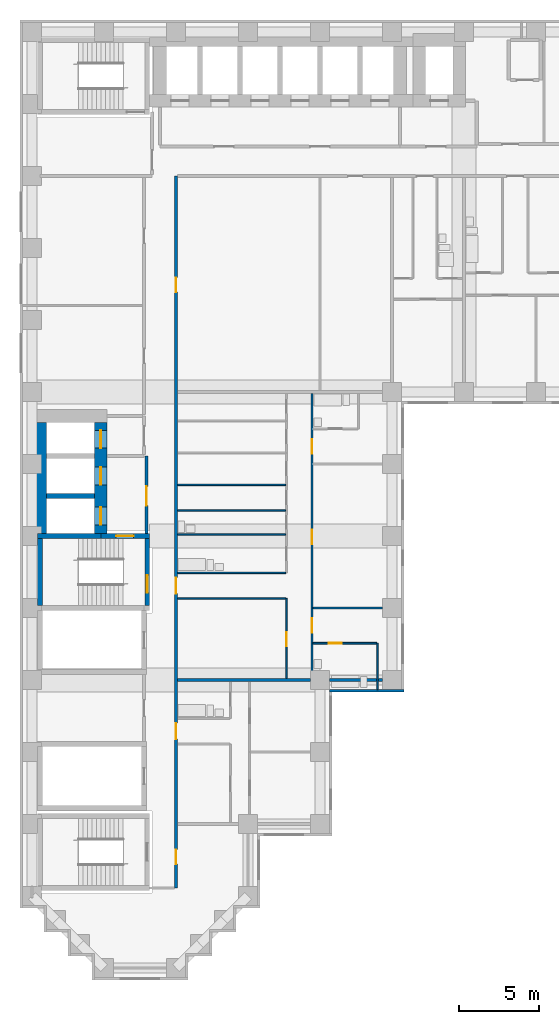
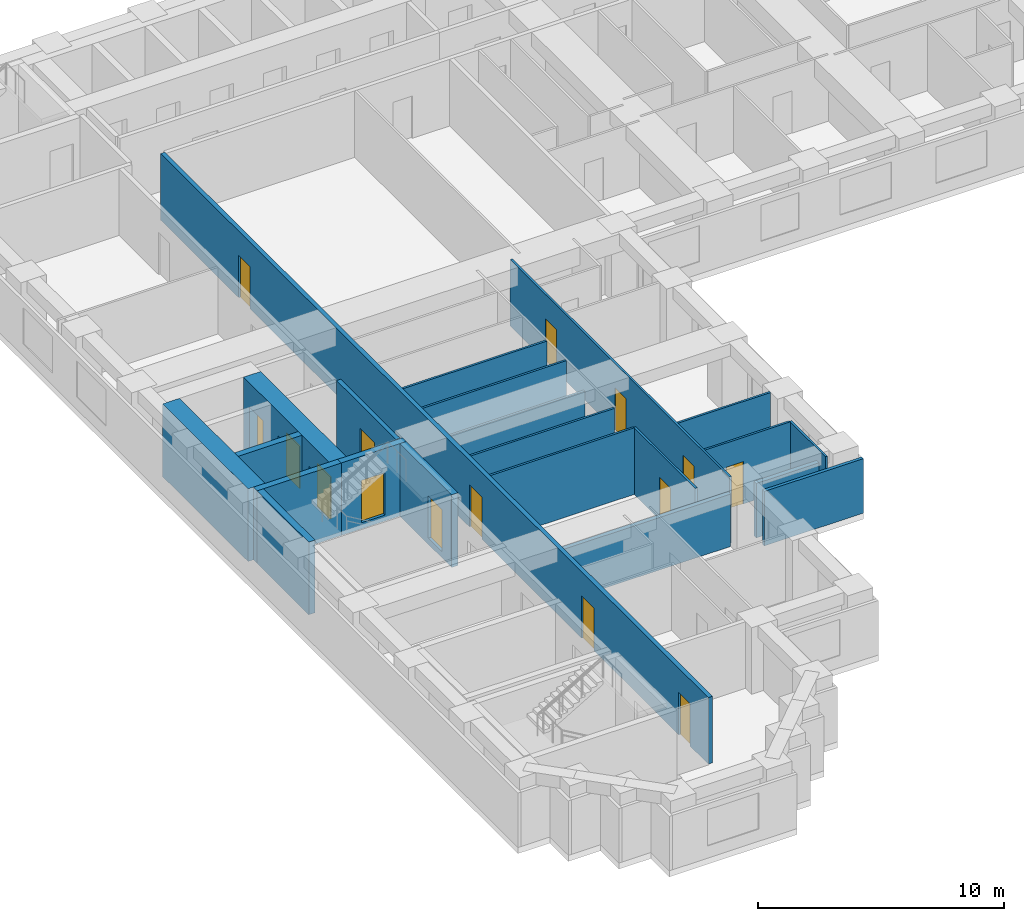
# One storey, part 3 of 12: 22 walls, 15 doors, 15 openings.
"""IFC4 building model written with IfcOpenShell, lengths in metres."""

from ifc_helpers import new_model, si_unit, direction, frame, frame_2d, origin, place, context, subcontext, project, spatial, rectangle, extrude, material, layer, layer_set, type_object, element, fill, save


model = new_model("IFC4")

# Units and contexts
model_context = context("Model", 3, precision=1e-05, world=origin(), true_north=direction((0.0, 1.0)))
body_context = subcontext(model_context, "Body", "Model", "MODEL_VIEW")
ifc_project = project(units=[si_unit("LENGTHUNIT", "METRE"), si_unit("AREAUNIT", "SQUARE_METRE"), si_unit("VOLUMEUNIT", "CUBIC_METRE"), si_unit("PLANEANGLEUNIT", "RADIAN"), si_unit("MASSUNIT", "GRAM", prefix="KILO")], contexts=[model_context])

# Site, building, storey
site_placement = place(None, origin())
site = spatial("IfcSite", under=ifc_project, at=site_placement, CompositionType="ELEMENT")
building_placement = place(site_placement, origin())
building = spatial("IfcBuilding", under=site, at=building_placement, Name="Firuza Court", CompositionType="ELEMENT")
storey_placement = place(building_placement, frame((0.0, 0.0, 101.0)))
storey = spatial("IfcBuildingStorey", under=building, at=storey_placement, Name="L25", CompositionType="ELEMENT", Elevation=101.0)

# Wall
ifc_material_1 = material(Name="Moisture-resistant gypsum board partition")
ifc_layer_1 = layer(ifc_material_1, 0.10009765625)
ifc_layer_set_1 = layer_set([ifc_layer_1], Name="Moisture-resistant gypsum board partition")
wall_type_1 = type_object("IfcWallType", Name="Bathroom partition 100", PredefinedType="PLUMBINGWALL", material=ifc_layer_set_1)
wall_1_placement = place(storey_placement, frame((21.60009765625, 17.39990234375, 0.0), z_axis=(0.0, 0.0, 1.0), x_axis=(0.0, 1.0, 0.0)))
element("IfcWall", 1, at=wall_1_placement, inside=storey, type_object=wall_type_1, Name="Bathroom partition 100 L25", PredefinedType="PLUMBINGWALL", context=body_context, shape_type="SweptSolid", body=[
    extrude(rectangle(XDim=2.900146484375, YDim=0.10009765625, at=frame_2d((1.4501953125, 0.0))), origin(), (0.0, 0.0, 1.0), 3.300048828125),
])

# Wall, opening, door
wall_2_placement = place(storey_placement, frame((17.550048828125, 20.300048828125, 0.0), z_axis=(0.0, 0.0, 1.0), x_axis=(1.0, 0.0, 0.0)))
wall_2 = element("IfcWall", 2, at=wall_2_placement, inside=storey, type_object=wall_type_1, Name="Bathroom partition 100 L25", PredefinedType="PLUMBINGWALL", context=body_context, shape_type="SweptSolid", body=[
    extrude(rectangle(XDim=4.0, YDim=0.10009765625, at=frame_2d((2.0, 0.0))), origin(), (0.0, 0.0, 1.0), 3.300048828125),
])
opening_1_placement = place(wall_2_placement, frame((1.0, 0.0, 0.0)))
opening_1 = element("IfcOpeningElement", 3, at=opening_1_placement, cuts=wall_2, Name="Opening D25032", PredefinedType="OPENING", context=body_context, shape_type="SweptSolid", body=[
    extrude(rectangle(XDim=0.800048828125, YDim=2.10009765625, at=frame_2d((0.39990234375, 1.050048828125))), frame((0.0, 0.06201171875, 0.0), z_axis=(0.0, -1.0, 0.0), x_axis=(1.0, 0.0, 0.0)), (0.0, 0.0, 1.0), 0.1240234375),
])
ifc_material_2 = material(Name="Timber door leaf in hardwood frame", Category="wood")
door_type_1 = type_object("IfcDoorType", Name="Bathroom door 800", OperationType="SINGLE_SWING_LEFT", PredefinedType="DOOR", material=ifc_material_2)
door_1_placement = place(opening_1_placement, frame((0.800048828125, 0.0, 0.0), z_axis=(0.0, 0.0, 1.0), x_axis=(-1.0, 0.0, 0.0)))
door_1 = element("IfcDoor", 4, at=door_1_placement, inside=storey, type_object=door_type_1, Name="En-suite door", OperationType="SINGLE_SWING_RIGHT", OverallHeight=2.10009765625, OverallWidth=0.800048828125, PredefinedType="DOOR", context=body_context, shape_type="SweptSolid", body=[
    extrude(rectangle(XDim=0.800048828125, YDim=2.10009765625, at=frame_2d((0.39990234375, 1.050048828125))), frame((0.0, 0.02490234375, 0.0), z_axis=(0.0, -1.0, 0.0), x_axis=(1.0, 0.0, 0.0)), (0.0, 0.0, 1.0), 0.050048828125),
])
fill(opening_1, door_1)

# Walls
wall_3_placement = place(storey_placement, frame((9.10009765625, 24.699951171875, 0.0), z_axis=(0.0, 0.0, 1.0), x_axis=(1.0, 0.0, 0.0)))
element("IfcWall", 5, at=wall_3_placement, inside=storey, type_object=wall_type_1, Name="Bathroom partition 100 L25", PredefinedType="PLUMBINGWALL", context=body_context, shape_type="SweptSolid", body=[
    extrude(rectangle(XDim=6.75, YDim=0.10009765625, at=frame_2d((3.375, 0.0))), origin(), (0.0, 0.0, 1.0), 3.300048828125),
])
wall_4_placement = place(storey_placement, frame((9.10009765625, 27.10009765625, 0.0), z_axis=(0.0, 0.0, 1.0), x_axis=(1.0, 0.0, 0.0)))
element("IfcWall", 6, at=wall_4_placement, inside=storey, type_object=wall_type_1, Name="Bathroom partition 100 L25", PredefinedType="PLUMBINGWALL", context=body_context, shape_type="SweptSolid", body=[
    extrude(rectangle(XDim=6.75, YDim=0.10009765625, at=frame_2d((3.375, 0.0))), origin(), (0.0, 0.0, 1.0), 2.699951171875),
])
wall_5_placement = place(storey_placement, frame((9.10009765625, 28.60009765625, 0.0), z_axis=(0.0, 0.0, 1.0), x_axis=(1.0, 0.0, 0.0)))
element("IfcWall", 7, at=wall_5_placement, inside=storey, type_object=wall_type_1, Name="Bathroom partition 100 L25", PredefinedType="PLUMBINGWALL", context=body_context, shape_type="SweptSolid", body=[
    extrude(rectangle(XDim=6.75, YDim=0.10009765625, at=frame_2d((3.375, 0.0))), origin(), (0.0, 0.0, 1.0), 3.300048828125),
])
ifc_material_3 = material(Name="Concrete C60/75", Category="concrete")
ifc_layer_2 = layer(ifc_material_3, 0.300048828125)
ifc_layer_set_2 = layer_set([ifc_layer_2], Name="Concrete C60/75")
wall_type_2 = type_object("IfcWallType", Name="Core wall 300 C60/75", PredefinedType="SHEAR", material=ifc_layer_set_2)
wall_6_placement = place(storey_placement, frame((0.35009765625, 27.0, -0.300048828125), z_axis=(0.0, 0.0, 1.0), x_axis=(1.0, 0.0, 0.0)))
element("IfcWall", 8, at=wall_6_placement, inside=storey, type_object=wall_type_2, Name="Core wall lift shaft L25", PredefinedType="SHEAR", context=body_context, shape_type="SweptSolid", body=[
    extrude(rectangle(XDim=3.949951171875, YDim=0.300048828125, at=frame_2d((1.97509765625, 0.0))), origin(), (0.0, 0.0, 1.0), 3.60009765625),
])
wall_7_placement = place(storey_placement, frame((0.5, 22.64990234375, -0.300048828125), z_axis=(0.0, 0.0, 1.0), x_axis=(0.0, 1.0, 0.0)))
element("IfcWall", 9, at=wall_7_placement, inside=storey, type_object=wall_type_2, Name="Core wall stair L25", PredefinedType="SHEAR", context=body_context, shape_type="SweptSolid", body=[
    extrude(rectangle(XDim=4.2001953125, YDim=0.300048828125, at=frame_2d((2.10009765625, 0.0))), origin(), (0.0, 0.0, 1.0), 3.60009765625),
])
wall_8_placement = place(storey_placement, frame((0.89990234375, 29.5, -0.300048828125), z_axis=(0.0, 0.0, 1.0), x_axis=(1.0, 0.0, 0.0)))
element("IfcWall", 10, at=wall_8_placement, inside=storey, type_object=wall_type_2, Name="Core wall lift shaft L25", PredefinedType="SHEAR", context=body_context, shape_type="SweptSolid", body=[
    extrude(rectangle(XDim=3.0, YDim=0.300048828125, at=frame_2d((1.5, 0.0))), origin(), (0.0, 0.0, 1.0), 3.60009765625),
])

# Wall, opening, door
wall_9_placement = place(storey_placement, frame((4.300048828125, 27.0, -0.300048828125), z_axis=(0.0, 0.0, 1.0), x_axis=(1.0, 0.0, 0.0)))
wall_9 = element("IfcWall", 11, at=wall_9_placement, inside=storey, type_object=wall_type_2, Name="Core wall stair L25", PredefinedType="SHEAR", context=body_context, shape_type="SweptSolid", body=[
    extrude(rectangle(XDim=3.050048828125, YDim=0.300048828125, at=frame_2d((1.52490234375, 0.0))), origin(), (0.0, 0.0, 1.0), 3.60009765625),
])
opening_2_placement = place(wall_9_placement, frame((0.949951171875, 0.0, 0.300048828125)))
opening_2 = element("IfcOpeningElement", 12, at=opening_2_placement, cuts=wall_9, Name="Opening D25014", PredefinedType="OPENING", context=body_context, shape_type="SweptSolid", body=[
    extrude(rectangle(XDim=1.10009765625, YDim=2.10009765625, at=frame_2d((0.550048828125, 1.050048828125))), frame((0.0, 0.162109375, 0.0), z_axis=(0.0, -1.0, 0.0), x_axis=(1.0, 0.0, 0.0)), (0.0, 0.0, 1.0), 0.323974609375),
])
ifc_material_4 = material(Name="Timber door leaf in hardwood frame", Category="wood")
door_type_2 = type_object("IfcDoorType", Name="Stair door 1100", OperationType="SINGLE_SWING_LEFT", PredefinedType="DOOR", material=ifc_material_4)
door_2_placement = place(opening_2_placement, frame((1.10009765625, 0.0, 0.0), z_axis=(0.0, 0.0, 1.0), x_axis=(-1.0, 0.0, 0.0)))
door_2 = element("IfcDoor", 13, at=door_2_placement, inside=storey, type_object=door_type_2, Name="Fire-fighting lobby door", OperationType="SINGLE_SWING_LEFT", OverallHeight=2.10009765625, OverallWidth=1.10009765625, PredefinedType="DOOR", context=body_context, shape_type="SweptSolid", body=[
    extrude(rectangle(XDim=1.10009765625, YDim=2.10009765625, at=frame_2d((0.550048828125, 1.050048828125))), frame((0.0, 0.02490234375, 0.0), z_axis=(0.0, -1.0, 0.0), x_axis=(1.0, 0.0, 0.0)), (0.0, 0.0, 1.0), 0.050048828125),
])
fill(opening_2, door_2)

wall_10_placement = place(storey_placement, frame((7.199951171875, 22.64990234375, -0.300048828125), z_axis=(0.0, 0.0, 1.0), x_axis=(0.0, 1.0, 0.0)))
wall_10 = element("IfcWall", 14, at=wall_10_placement, inside=storey, type_object=wall_type_2, Name="Core wall stair L25", PredefinedType="SHEAR", context=body_context, shape_type="SweptSolid", body=[
    extrude(rectangle(XDim=4.2001953125, YDim=0.300048828125, at=frame_2d((2.10009765625, 0.0))), origin(), (0.0, 0.0, 1.0), 3.60009765625),
])
opening_3_placement = place(wall_10_placement, frame((0.800048828125, 0.0, 0.300048828125)))
opening_3 = element("IfcOpeningElement", 15, at=opening_3_placement, cuts=wall_10, Name="Opening D25015", PredefinedType="OPENING", context=body_context, shape_type="SweptSolid", body=[
    extrude(rectangle(XDim=1.10009765625, YDim=2.10009765625, at=frame_2d((0.550048828125, 1.050048828125))), frame((0.0, 0.162109375, 0.0), z_axis=(0.0, -1.0, 0.0), x_axis=(1.0, 0.0, 0.0)), (0.0, 0.0, 1.0), 0.323974609375),
])
door_3_placement = place(opening_3_placement, origin())
door_3 = element("IfcDoor", 16, at=door_3_placement, inside=storey, type_object=door_type_2, Name="Stair door S2", OperationType="SINGLE_SWING_LEFT", OverallHeight=2.10009765625, OverallWidth=1.10009765625, PredefinedType="DOOR", context=body_context, shape_type="SweptSolid", body=[
    extrude(rectangle(XDim=1.10009765625, YDim=2.10009765625, at=frame_2d((0.550048828125, 1.050048828125))), frame((0.0, 0.02490234375, 0.0), z_axis=(0.0, -1.0, 0.0), x_axis=(1.0, 0.0, 0.0)), (0.0, 0.0, 1.0), 0.050048828125),
])
fill(opening_3, door_3)

# Wall
ifc_layer_3 = layer(ifc_material_3, 0.800048828125)
ifc_layer_set_3 = layer_set([ifc_layer_3], Name="Concrete C60/75")
wall_type_3 = type_object("IfcWallType", Name="Core wall 800 C60/75", PredefinedType="SHEAR", material=ifc_layer_set_3)
wall_11_placement = place(storey_placement, frame((0.5, 27.14990234375, -0.300048828125), z_axis=(0.0, 0.0, 1.0), x_axis=(0.0, 1.0, 0.0)))
element("IfcWall", 17, at=wall_11_placement, inside=storey, type_object=wall_type_3, Name="Core wall lift shaft L25", PredefinedType="SHEAR", context=body_context, shape_type="SweptSolid", body=[
    extrude(rectangle(XDim=6.9501953125, YDim=0.800048828125, at=frame_2d((3.47509765625, 0.0))), origin(), (0.0, 0.0, 1.0), 3.60009765625),
])

# Wall, openings, doors
wall_12_placement = place(storey_placement, frame((4.300048828125, 27.14990234375, -0.300048828125), z_axis=(0.0, 0.0, 1.0), x_axis=(0.0, 1.0, 0.0)))
wall_12 = element("IfcWall", 18, at=wall_12_placement, inside=storey, type_object=wall_type_3, Name="Core wall lift shaft L25", PredefinedType="SHEAR", context=body_context, shape_type="SweptSolid", body=[
    extrude(rectangle(XDim=6.9501953125, YDim=0.800048828125, at=frame_2d((3.47509765625, 0.0))), origin(), (0.0, 0.0, 1.0), 3.60009765625),
])
opening_4_placement = place(wall_12_placement, frame((3.050048828125, 0.0, 0.300048828125)))
opening_4 = element("IfcOpeningElement", 19, at=opening_4_placement, cuts=wall_12, Name="Opening LD-FL1-25", PredefinedType="OPENING", context=body_context, shape_type="SweptSolid", body=[
    extrude(rectangle(XDim=1.10009765625, YDim=2.10009765625, at=frame_2d((0.550048828125, 1.050048828125))), frame((0.0, 0.412109375, 0.0), z_axis=(0.0, -1.0, 0.0), x_axis=(1.0, 0.0, 0.0)), (0.0, 0.0, 1.0), 0.823974609375),
])
opening_5_placement = place(wall_12_placement, frame((0.550048828125, 0.0, 0.300048828125)))
opening_5 = element("IfcOpeningElement", 20, at=opening_5_placement, cuts=wall_12, Name="Opening LD-FL2-25", PredefinedType="OPENING", context=body_context, shape_type="SweptSolid", body=[
    extrude(rectangle(XDim=1.10009765625, YDim=2.10009765625, at=frame_2d((0.550048828125, 1.050048828125))), frame((0.0, 0.412109375, 0.0), z_axis=(0.0, -1.0, 0.0), x_axis=(1.0, 0.0, 0.0)), (0.0, 0.0, 1.0), 0.823974609375),
])
opening_6_placement = place(wall_12_placement, frame((5.35009765625, 0.0, 0.300048828125)))
opening_6 = element("IfcOpeningElement", 21, at=opening_6_placement, cuts=wall_12, Name="Opening LD-SL1-25", PredefinedType="OPENING", context=body_context, shape_type="SweptSolid", body=[
    extrude(rectangle(XDim=1.10009765625, YDim=2.10009765625, at=frame_2d((0.550048828125, 1.050048828125))), frame((0.0, 0.412109375, 0.0), z_axis=(0.0, -1.0, 0.0), x_axis=(1.0, 0.0, 0.0)), (0.0, 0.0, 1.0), 0.823974609375),
])
ifc_material_5 = material(Name="Stainless steel 1.4301 door leaf", Category="steel")
door_type_3 = type_object("IfcDoorType", Name="Lift landing door 1100", OperationType="SLIDING_TO_LEFT", PredefinedType="DOOR", material=ifc_material_5)
door_4_placement = place(opening_4_placement, origin())
door_4 = element("IfcDoor", 22, at=door_4_placement, inside=storey, type_object=door_type_3, Name="Landing door FL1", OperationType="SLIDING_TO_LEFT", OverallHeight=2.10009765625, OverallWidth=1.10009765625, PredefinedType="DOOR", context=body_context, shape_type="SweptSolid", body=[
    extrude(rectangle(XDim=1.10009765625, YDim=2.10009765625, at=frame_2d((0.550048828125, 1.050048828125))), frame((0.0, 0.02490234375, 0.0), z_axis=(0.0, -1.0, 0.0), x_axis=(1.0, 0.0, 0.0)), (0.0, 0.0, 1.0), 0.050048828125),
])
fill(opening_4, door_4)
door_5_placement = place(opening_5_placement, origin())
door_5 = element("IfcDoor", 23, at=door_5_placement, inside=storey, type_object=door_type_3, Name="Landing door FL2", OperationType="SLIDING_TO_LEFT", OverallHeight=2.10009765625, OverallWidth=1.10009765625, PredefinedType="DOOR", context=body_context, shape_type="SweptSolid", body=[
    extrude(rectangle(XDim=1.10009765625, YDim=2.10009765625, at=frame_2d((0.550048828125, 1.050048828125))), frame((0.0, 0.02490234375, 0.0), z_axis=(0.0, -1.0, 0.0), x_axis=(1.0, 0.0, 0.0)), (0.0, 0.0, 1.0), 0.050048828125),
])
fill(opening_5, door_5)
door_6_placement = place(opening_6_placement, origin())
door_6 = element("IfcDoor", 24, at=door_6_placement, inside=storey, type_object=door_type_3, Name="Landing door SL1", OperationType="SLIDING_TO_LEFT", OverallHeight=2.10009765625, OverallWidth=1.10009765625, PredefinedType="DOOR", context=body_context, shape_type="SweptSolid", body=[
    extrude(rectangle(XDim=1.10009765625, YDim=2.10009765625, at=frame_2d((0.550048828125, 1.050048828125))), frame((0.0, 0.02490234375, 0.0), z_axis=(0.0, -1.0, 0.0), x_axis=(1.0, 0.0, 0.0)), (0.0, 0.0, 1.0), 0.050048828125),
])
fill(opening_6, door_6)

ifc_material_6 = material(Name="Blockwork, plastered both sides", Category="masonry")
ifc_layer_4 = layer(ifc_material_6, 0.199951171875)
ifc_layer_set_4 = layer_set([ifc_layer_4], Name="Blockwork, plastered both sides")
wall_type_4 = type_object("IfcWallType", Name="Corridor wall 200", PredefinedType="PARTITIONING", material=ifc_layer_set_4)
wall_13_placement = place(storey_placement, frame((9.0, 5.0, 0.0), z_axis=(0.0, 0.0, 1.0), x_axis=(0.0, 1.0, 0.0)))
wall_13 = element("IfcWall", 25, at=wall_13_placement, inside=storey, type_object=wall_type_4, Name="Corridor wall 200 L25", PredefinedType="PARTITIONING", context=body_context, shape_type="SweptSolid", body=[
    extrude(rectangle(XDim=44.5, YDim=0.199951171875, at=frame_2d((22.25, 0.0))), origin(), (0.0, 0.0, 1.0), 3.300048828125),
])
opening_7_placement = place(wall_13_placement, frame((18.39990234375, 0.0, 0.0)))
opening_7 = element("IfcOpeningElement", 26, at=opening_7_placement, cuts=wall_13, Name="Opening D25019", PredefinedType="OPENING", context=body_context, shape_type="SweptSolid", body=[
    extrude(rectangle(XDim=1.0, YDim=2.10009765625, at=frame_2d((0.5, 1.050048828125))), frame((0.0, 0.11181640625, 0.0), z_axis=(0.0, -1.0, 0.0), x_axis=(1.0, 0.0, 0.0)), (0.0, 0.0, 1.0), 0.223876953125),
])
opening_8_placement = place(wall_13_placement, frame((9.300048828125, 0.0, 0.0)))
opening_8 = element("IfcOpeningElement", 27, at=opening_8_placement, cuts=wall_13, Name="Opening D25020", PredefinedType="OPENING", context=body_context, shape_type="SweptSolid", body=[
    extrude(rectangle(XDim=1.0, YDim=2.10009765625, at=frame_2d((0.5, 1.050048828125))), frame((0.0, 0.11181640625, 0.0), z_axis=(0.0, -1.0, 0.0), x_axis=(1.0, 0.0, 0.0)), (0.0, 0.0, 1.0), 0.223876953125),
])
opening_9_placement = place(wall_13_placement, frame((37.25, 0.0, 0.0)))
opening_9 = element("IfcOpeningElement", 28, at=opening_9_placement, cuts=wall_13, Name="Opening D25021", PredefinedType="OPENING", context=body_context, shape_type="SweptSolid", body=[
    extrude(rectangle(XDim=0.89990234375, YDim=2.10009765625, at=frame_2d((0.449951171875, 1.050048828125))), frame((0.0, 0.11181640625, 0.0), z_axis=(0.0, -1.0, 0.0), x_axis=(1.0, 0.0, 0.0)), (0.0, 0.0, 1.0), 0.223876953125),
])
opening_10_placement = place(wall_13_placement, frame((1.5, 0.0, 0.0)))
opening_10 = element("IfcOpeningElement", 29, at=opening_10_placement, cuts=wall_13, Name="Opening D25022", PredefinedType="OPENING", context=body_context, shape_type="SweptSolid", body=[
    extrude(rectangle(XDim=0.89990234375, YDim=2.10009765625, at=frame_2d((0.449951171875, 1.050048828125))), frame((0.0, 0.11181640625, 0.0), z_axis=(0.0, -1.0, 0.0), x_axis=(1.0, 0.0, 0.0)), (0.0, 0.0, 1.0), 0.223876953125),
])
ifc_material_7 = material(Name="Timber door leaf in hardwood frame", Category="wood")
door_type_4 = type_object("IfcDoorType", Name="Flat entrance door 1000", OperationType="SINGLE_SWING_LEFT", PredefinedType="DOOR", material=ifc_material_7)
door_7_placement = place(opening_7_placement, origin())
door_7 = element("IfcDoor", 30, at=door_7_placement, inside=storey, type_object=door_type_4, Name="Flat entrance door", OperationType="SINGLE_SWING_LEFT", OverallHeight=2.10009765625, OverallWidth=1.0, PredefinedType="DOOR", context=body_context, shape_type="SweptSolid", body=[
    extrude(rectangle(XDim=1.0, YDim=2.10009765625, at=frame_2d((0.5, 1.050048828125))), frame((0.0, 0.02490234375, 0.0), z_axis=(0.0, -1.0, 0.0), x_axis=(1.0, 0.0, 0.0)), (0.0, 0.0, 1.0), 0.050048828125),
])
fill(opening_7, door_7)
door_8_placement = place(opening_8_placement, origin())
door_8 = element("IfcDoor", 31, at=door_8_placement, inside=storey, type_object=door_type_4, Name="Flat entrance door", OperationType="SINGLE_SWING_LEFT", OverallHeight=2.10009765625, OverallWidth=1.0, PredefinedType="DOOR", context=body_context, shape_type="SweptSolid", body=[
    extrude(rectangle(XDim=1.0, YDim=2.10009765625, at=frame_2d((0.5, 1.050048828125))), frame((0.0, 0.02490234375, 0.0), z_axis=(0.0, -1.0, 0.0), x_axis=(1.0, 0.0, 0.0)), (0.0, 0.0, 1.0), 0.050048828125),
])
fill(opening_8, door_8)
ifc_material_8 = material(Name="Timber door leaf in hardwood frame", Category="wood")
door_type_5 = type_object("IfcDoorType", Name="Room door 900 EI 30", OperationType="SINGLE_SWING_LEFT", PredefinedType="DOOR", material=ifc_material_8)
door_9_placement = place(opening_9_placement, origin())
door_9 = element("IfcDoor", 32, at=door_9_placement, inside=storey, type_object=door_type_5, Name="Cinema room door", OperationType="SINGLE_SWING_LEFT", OverallHeight=2.10009765625, OverallWidth=0.89990234375, PredefinedType="DOOR", context=body_context, shape_type="SweptSolid", body=[
    extrude(rectangle(XDim=0.89990234375, YDim=2.10009765625, at=frame_2d((0.449951171875, 1.050048828125))), frame((0.0, 0.02490234375, 0.0), z_axis=(0.0, -1.0, 0.0), x_axis=(1.0, 0.0, 0.0)), (0.0, 0.0, 1.0), 0.050048828125),
])
fill(opening_9, door_9)
door_10_placement = place(opening_10_placement, frame((0.89990234375, 0.0, 0.0), z_axis=(0.0, 0.0, 1.0), x_axis=(-1.0, 0.0, 0.0)))
door_10 = element("IfcDoor", 33, at=door_10_placement, inside=storey, type_object=door_type_5, Name="Business room door", OperationType="SINGLE_SWING_LEFT", OverallHeight=2.10009765625, OverallWidth=0.89990234375, PredefinedType="DOOR", context=body_context, shape_type="SweptSolid", body=[
    extrude(rectangle(XDim=0.89990234375, YDim=2.10009765625, at=frame_2d((0.449951171875, 1.050048828125))), frame((0.0, 0.02490234375, 0.0), z_axis=(0.0, -1.0, 0.0), x_axis=(1.0, 0.0, 0.0)), (0.0, 0.0, 1.0), 0.050048828125),
])
fill(opening_10, door_10)

# Wall, opening, door
ifc_material_9 = material(Name="Timber stud partition, plasterboard both sides", Category="wood")
ifc_layer_5 = layer(ifc_material_9, 0.10009765625)
ifc_layer_set_5 = layer_set([ifc_layer_5], Name="Timber stud partition, plasterboard both sides")
wall_type_5 = type_object("IfcWallType", Name="Partition wall 100", PredefinedType="PARTITIONING", material=ifc_layer_set_5)
wall_14_placement = place(storey_placement, frame((15.89990234375, 18.10009765625, 0.0), z_axis=(0.0, 0.0, 1.0), x_axis=(0.0, 1.0, 0.0)))
wall_14 = element("IfcWall", 34, at=wall_14_placement, inside=storey, type_object=wall_type_5, Name="Partition wall 100 L25", PredefinedType="PARTITIONING", context=body_context, shape_type="SweptSolid", body=[
    extrude(rectangle(XDim=5.0, YDim=0.10009765625, at=frame_2d((2.5, 0.0))), origin(), (0.0, 0.0, 1.0), 3.300048828125),
])
opening_11_placement = place(wall_14_placement, frame((2.0, 0.0, 0.0)))
opening_11 = element("IfcOpeningElement", 35, at=opening_11_placement, cuts=wall_14, Name="Opening D25028", PredefinedType="OPENING", context=body_context, shape_type="SweptSolid", body=[
    extrude(rectangle(XDim=0.89990234375, YDim=2.10009765625, at=frame_2d((0.449951171875, 1.050048828125))), frame((0.0, 0.06201171875, 0.0), z_axis=(0.0, -1.0, 0.0), x_axis=(1.0, 0.0, 0.0)), (0.0, 0.0, 1.0), 0.1240234375),
])
ifc_material_10 = material(Name="Timber door leaf in hardwood frame", Category="wood")
door_type_6 = type_object("IfcDoorType", Name="Room door 900", OperationType="SINGLE_SWING_LEFT", PredefinedType="DOOR", material=ifc_material_10)
door_11_placement = place(opening_11_placement, origin())
door_11 = element("IfcDoor", 36, at=door_11_placement, inside=storey, type_object=door_type_6, Name="Kitchen door", OperationType="SINGLE_SWING_LEFT", OverallHeight=2.10009765625, OverallWidth=0.89990234375, PredefinedType="DOOR", context=body_context, shape_type="SweptSolid", body=[
    extrude(rectangle(XDim=0.89990234375, YDim=2.10009765625, at=frame_2d((0.449951171875, 1.050048828125))), frame((0.0, 0.02490234375, 0.0), z_axis=(0.0, -1.0, 0.0), x_axis=(1.0, 0.0, 0.0)), (0.0, 0.0, 1.0), 0.050048828125),
])
fill(opening_11, door_11)

# Wall, openings, doors
wall_15_placement = place(storey_placement, frame((17.5, 18.10009765625, 0.0), z_axis=(0.0, 0.0, 1.0), x_axis=(0.0, 1.0, 0.0)))
wall_15 = element("IfcWall", 37, at=wall_15_placement, inside=storey, type_object=wall_type_5, Name="Partition wall 100 L25", PredefinedType="PARTITIONING", context=body_context, shape_type="SweptSolid", body=[
    extrude(rectangle(XDim=17.7998046875, YDim=0.10009765625, at=frame_2d((8.89990234375, 0.0))), origin(), (0.0, 0.0, 1.0), 3.300048828125),
])
opening_12_placement = place(wall_15_placement, frame((2.85009765625, 0.0, 0.0)))
opening_12 = element("IfcOpeningElement", 38, at=opening_12_placement, cuts=wall_15, Name="Opening D25029", PredefinedType="OPENING", context=body_context, shape_type="SweptSolid", body=[
    extrude(rectangle(XDim=0.89990234375, YDim=2.10009765625, at=frame_2d((0.449951171875, 1.050048828125))), frame((0.0, 0.06201171875, 0.0), z_axis=(0.0, -1.0, 0.0), x_axis=(1.0, 0.0, 0.0)), (0.0, 0.0, 1.0), 0.1240234375),
])
opening_13_placement = place(wall_15_placement, frame((8.39990234375, 0.0, 0.0)))
opening_13 = element("IfcOpeningElement", 39, at=opening_13_placement, cuts=wall_15, Name="Opening D25030", PredefinedType="OPENING", context=body_context, shape_type="SweptSolid", body=[
    extrude(rectangle(XDim=0.89990234375, YDim=2.10009765625, at=frame_2d((0.449951171875, 1.050048828125))), frame((0.0, 0.06201171875, 0.0), z_axis=(0.0, -1.0, 0.0), x_axis=(1.0, 0.0, 0.0)), (0.0, 0.0, 1.0), 0.1240234375),
])
opening_14_placement = place(wall_15_placement, frame((14.050048828125, 0.0, 0.0)))
opening_14 = element("IfcOpeningElement", 40, at=opening_14_placement, cuts=wall_15, Name="Opening D25031", PredefinedType="OPENING", context=body_context, shape_type="SweptSolid", body=[
    extrude(rectangle(XDim=0.89990234375, YDim=2.10009765625, at=frame_2d((0.449951171875, 1.050048828125))), frame((0.0, 0.06201171875, 0.0), z_axis=(0.0, -1.0, 0.0), x_axis=(1.0, 0.0, 0.0)), (0.0, 0.0, 1.0), 0.1240234375),
])
door_12_placement = place(opening_12_placement, frame((0.89990234375, 0.0, 0.0), z_axis=(0.0, 0.0, 1.0), x_axis=(-1.0, 0.0, 0.0)))
door_12 = element("IfcDoor", 41, at=door_12_placement, inside=storey, type_object=door_type_6, Name="Bedroom door", OperationType="SINGLE_SWING_RIGHT", OverallHeight=2.10009765625, OverallWidth=0.89990234375, PredefinedType="DOOR", context=body_context, shape_type="SweptSolid", body=[
    extrude(rectangle(XDim=0.89990234375, YDim=2.10009765625, at=frame_2d((0.449951171875, 1.050048828125))), frame((0.0, 0.02490234375, 0.0), z_axis=(0.0, -1.0, 0.0), x_axis=(1.0, 0.0, 0.0)), (0.0, 0.0, 1.0), 0.050048828125),
])
fill(opening_12, door_12)
door_13_placement = place(opening_13_placement, frame((0.89990234375, 0.0, 0.0), z_axis=(0.0, 0.0, 1.0), x_axis=(-1.0, 0.0, 0.0)))
door_13 = element("IfcDoor", 42, at=door_13_placement, inside=storey, type_object=door_type_6, Name="Living room door", OperationType="SINGLE_SWING_RIGHT", OverallHeight=2.10009765625, OverallWidth=0.89990234375, PredefinedType="DOOR", context=body_context, shape_type="SweptSolid", body=[
    extrude(rectangle(XDim=0.89990234375, YDim=2.10009765625, at=frame_2d((0.449951171875, 1.050048828125))), frame((0.0, 0.02490234375, 0.0), z_axis=(0.0, -1.0, 0.0), x_axis=(1.0, 0.0, 0.0)), (0.0, 0.0, 1.0), 0.050048828125),
])
fill(opening_13, door_13)
door_14_placement = place(opening_14_placement, frame((0.89990234375, 0.0, 0.0), z_axis=(0.0, 0.0, 1.0), x_axis=(-1.0, 0.0, 0.0)))
door_14 = element("IfcDoor", 43, at=door_14_placement, inside=storey, type_object=door_type_6, Name="Bedroom door", OperationType="SINGLE_SWING_RIGHT", OverallHeight=2.10009765625, OverallWidth=0.89990234375, PredefinedType="DOOR", context=body_context, shape_type="SweptSolid", body=[
    extrude(rectangle(XDim=0.89990234375, YDim=2.10009765625, at=frame_2d((0.449951171875, 1.050048828125))), frame((0.0, 0.02490234375, 0.0), z_axis=(0.0, -1.0, 0.0), x_axis=(1.0, 0.0, 0.0)), (0.0, 0.0, 1.0), 0.050048828125),
])
fill(opening_14, door_14)

# Walls
wall_16_placement = place(storey_placement, frame((17.550048828125, 22.5, 0.0), z_axis=(0.0, 0.0, 1.0), x_axis=(1.0, 0.0, 0.0)))
element("IfcWall", 44, at=wall_16_placement, inside=storey, type_object=wall_type_5, Name="Partition wall 100 L25", PredefinedType="PARTITIONING", context=body_context, shape_type="SweptSolid", body=[
    extrude(rectangle(XDim=4.349853515625, YDim=0.10009765625, at=frame_2d((2.1748046875, 0.0))), origin(), (0.0, 0.0, 1.0), 3.300048828125),
])
for number, where, z_axis, x_axis, name in (
    (45, (9.10009765625, 23.10009765625, 0.0), (0.0, 0.0, 1.0), (1.0, 0.0, 0.0), "Partition wall 100 L25"),
    (46, (9.10009765625, 30.199951171875, 0.0), (0.0, 0.0, 1.0), (1.0, 0.0, 0.0), "Partition wall 100 L25"),
):
    element("IfcWall", number, at=place(storey_placement, frame(where, z_axis=z_axis, x_axis=x_axis)), inside=storey, type_object=wall_type_5, Name=name, PredefinedType="PARTITIONING", context=body_context, shape_type="SweptSolid", body=[
        extrude(rectangle(XDim=6.75, YDim=0.10009765625, at=frame_2d((3.375, 0.0))), origin(), (0.0, 0.0, 1.0), 3.300048828125),
    ])
ifc_layer_6 = layer(ifc_material_6, 0.199951171875)
ifc_layer_set_6 = layer_set([ifc_layer_6], Name="Blockwork, plastered both sides")
wall_type_6 = type_object("IfcWallType", Name="Party wall 200", PredefinedType="PARTITIONING", material=ifc_layer_set_6)
wall_17_placement = place(storey_placement, frame((9.10009765625, 18.0, 0.0), z_axis=(0.0, 0.0, 1.0), x_axis=(1.0, 0.0, 0.0)))
element("IfcWall", 47, at=wall_17_placement, inside=storey, type_object=wall_type_6, Name="Party wall 200 L25", PredefinedType="PARTITIONING", context=body_context, shape_type="SweptSolid", body=[
    extrude(rectangle(XDim=8.2998046875, YDim=0.199951171875, at=frame_2d((4.14990234375, 0.0))), origin(), (0.0, 0.0, 1.0), 2.60009765625),
])
wall_18_placement = place(storey_placement, frame((18.60009765625, 18.0, 0.0), z_axis=(0.0, 0.0, 1.0), x_axis=(1.0, 0.0, 0.0)))
element("IfcWall", 48, at=wall_18_placement, inside=storey, type_object=wall_type_6, Name="Party wall 200 L25", PredefinedType="PARTITIONING", context=body_context, shape_type="SweptSolid", body=[
    extrude(rectangle(XDim=3.2998046875, YDim=0.199951171875, at=frame_2d((1.64990234375, 0.0))), origin(), (0.0, 0.0, 1.0), 2.699951171875),
])
ifc_material_11 = material(Name="Ceramic tile", Category="ceramic")
ifc_layer_7 = layer(ifc_material_11, 0.02001953125)
ifc_material_12 = material(Name="Mineral wool insulation", Category="insulation")
ifc_layer_8 = layer(ifc_material_12, 0.050048828125)
ifc_material_13 = material(Name="Concrete C40/50 precast", Category="concrete")
ifc_layer_9 = layer(ifc_material_13, 0.080078125)
ifc_layer_set_7 = layer_set([ifc_layer_7, ifc_layer_8, ifc_layer_9], Name="Concrete C40/50 precast")
wall_type_7 = type_object("IfcWallType", Name="Precast cladding wall with turquoise TILE PANEL face 150", PredefinedType="STANDARD", material=ifc_layer_set_7)
wall_19_placement = place(storey_placement, frame((18.60009765625, 17.324951171875, 0.0), z_axis=(0.0, 0.0, 1.0), x_axis=(1.0, 0.0, 0.0)))
element("IfcWall", 49, at=wall_19_placement, inside=storey, type_object=wall_type_7, Name="Facade wall L25 S", PredefinedType="STANDARD", context=body_context, shape_type="SweptSolid", body=[
    extrude(rectangle(XDim=4.64990234375, YDim=0.14990234375, at=frame_2d((2.324951171875, 0.0))), origin(), (0.0, 0.0, 1.0), 2.699951171875),
])

# Wall, opening, door
ifc_material_14 = material(Name="Blockwork, fire-rated", Category="masonry")
ifc_layer_10 = layer(ifc_material_14, 0.199951171875)
ifc_layer_set_8 = layer_set([ifc_layer_10], Name="Blockwork, fire-rated")
wall_type_8 = type_object("IfcWallType", Name="Shaft wall 200", PredefinedType="PARTITIONING", material=ifc_layer_set_8)
wall_20_placement = place(storey_placement, frame((7.14990234375, 27.169921875, 0.0), z_axis=(0.0, 0.0, 1.0), x_axis=(0.0, 1.0, 0.0)))
wall_20 = element("IfcWall", 50, at=wall_20_placement, inside=storey, type_object=wall_type_8, Name="Shaft wall 200 L25", PredefinedType="PARTITIONING", context=body_context, shape_type="SweptSolid", body=[
    extrude(rectangle(XDim=4.830078125, YDim=0.199951171875, at=frame_2d((2.4150390625, 0.0))), origin(), (0.0, 0.0, 1.0), 3.300048828125),
])
opening_15_placement = place(wall_20_placement, frame((1.72998046875, 0.0, 0.0)))
opening_15 = element("IfcOpeningElement", 51, at=opening_15_placement, cuts=wall_20, Name="Opening D25002", PredefinedType="OPENING", context=body_context, shape_type="SweptSolid", body=[
    extrude(rectangle(XDim=1.199951171875, YDim=2.10009765625, at=frame_2d((0.60009765625, 1.050048828125))), frame((0.0, 0.11181640625, 0.0), z_axis=(0.0, -1.0, 0.0), x_axis=(1.0, 0.0, 0.0)), (0.0, 0.0, 1.0), 0.223876953125),
])
ifc_material_15 = material(Name="Timber door leaf in hardwood frame", Category="wood")
door_type_7 = type_object("IfcDoorType", Name="Lobby door 1200", OperationType="SINGLE_SWING_LEFT", PredefinedType="DOOR", material=ifc_material_15)
door_15_placement = place(opening_15_placement, origin())
door_15 = element("IfcDoor", 52, at=door_15_placement, inside=storey, type_object=door_type_7, Name="Fire-fighting lobby door", OperationType="SINGLE_SWING_LEFT", OverallHeight=2.10009765625, OverallWidth=1.199951171875, PredefinedType="DOOR", context=body_context, shape_type="SweptSolid", body=[
    extrude(rectangle(XDim=1.199951171875, YDim=2.10009765625, at=frame_2d((0.60009765625, 1.050048828125))), frame((0.0, 0.02490234375, 0.0), z_axis=(0.0, -1.0, 0.0), x_axis=(1.0, 0.0, 0.0)), (0.0, 0.0, 1.0), 0.050048828125),
])
fill(opening_15, door_15)

save(model, "model.ifc")
